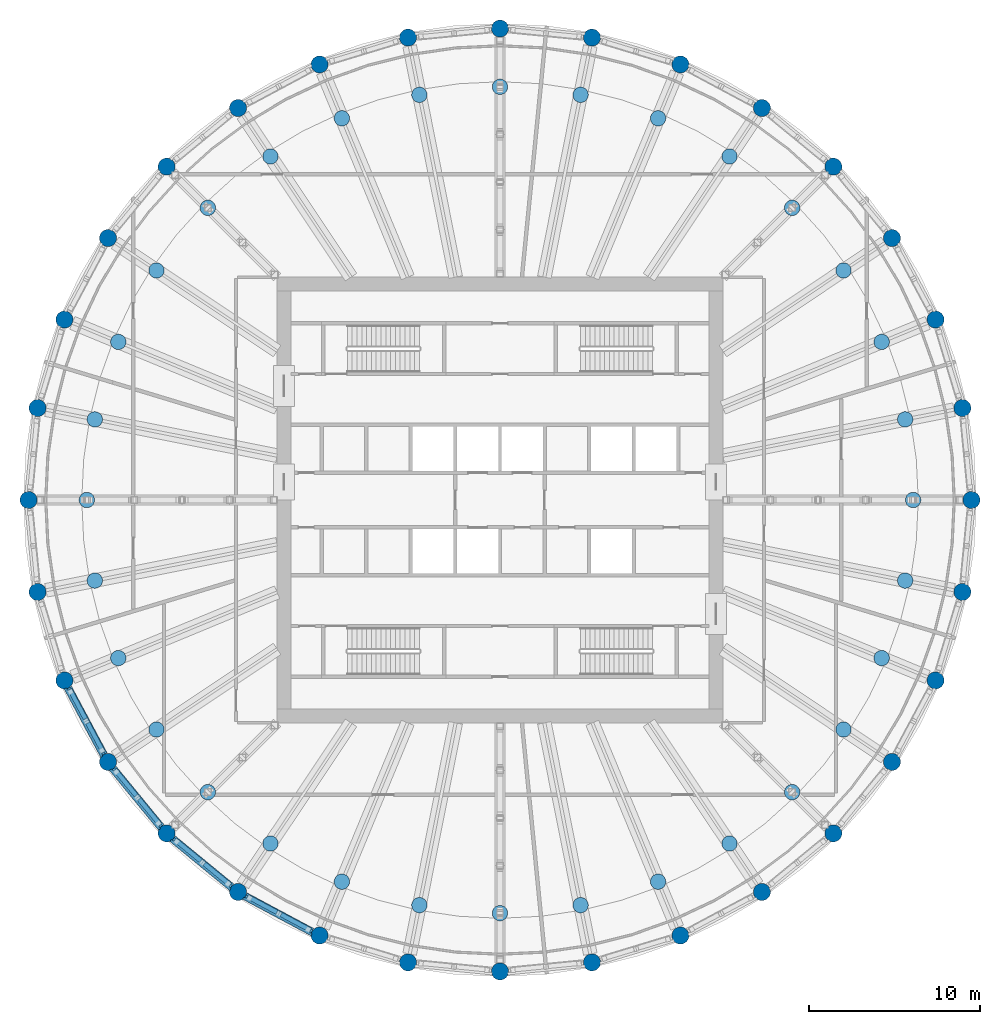
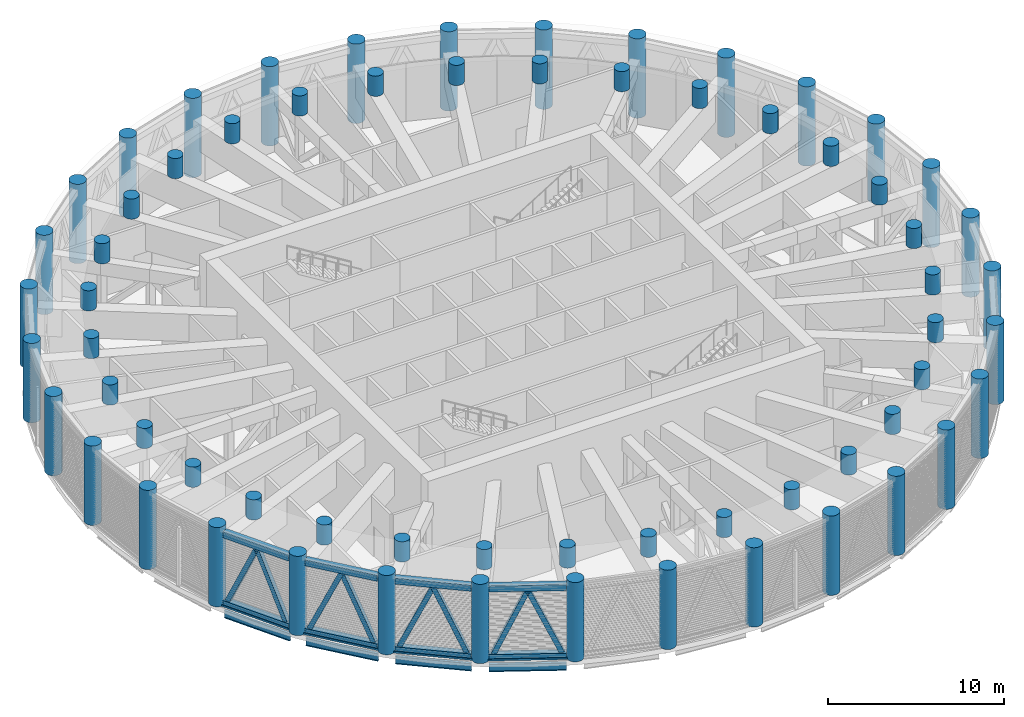
# One storey, part 1 of 24: 64 columns, 20 members, 4 beams, 4 elements without a shape of their own.
"""IFC4 building model written with IfcOpenShell, lengths in metres."""

import ifcopenshell
import ifcopenshell.guid

model = None  # the IFC model being written
_history = None  # IfcOwnerHistory: only IFC2X3 demands one
_inside = {}  # id of a spatial element -> (the spatial element, [elements in it])
_under = {}  # id of a project, library or spatial element -> (it, [spatial elements below it])
_declared = {}  # id of a project -> (the project, [libraries it declares])
_typed = {}  # id of a type object -> (the type object, [elements of that type])
_made_of = {}  # id of a material, layer set ... -> (it, [elements and type objects made of it])


def new_model(schema):
    """Start an empty IFC model of exactly this schema.

    Asked for "IFC4X3", IfcOpenShell would pick the latest addendum, in which some entities
    have other attributes; the version numbers below select the first issue.
    IFC2X3 requires an IfcOwnerHistory on every rooted entity: one is made here for all.
    """
    global model, _history
    if schema == "IFC4X3":
        model = ifcopenshell.file(schema_version=(4, 3, 0, 0))
    else:
        model = ifcopenshell.file(schema=schema)
    _inside.clear()
    _under.clear()
    _declared.clear()
    _typed.clear()
    _made_of.clear()
    _history = None
    if model.schema == "IFC2X3":
        org = make("IfcOrganization", Name="unknown")
        user = make(
            "IfcPersonAndOrganization",
            ThePerson=make("IfcPerson", FamilyName="unknown"),
            TheOrganization=org,
        )
        app = make(
            "IfcApplication",
            ApplicationDeveloper=org,
            Version="unknown",
            ApplicationFullName="unknown",
            ApplicationIdentifier="unknown",
        )
        _history = make(
            "IfcOwnerHistory",
            OwningUser=user,
            OwningApplication=app,
            ChangeAction="ADDED",
            CreationDate=0,
        )
    return model


def make(cls, **values):
    """One entity of the class cls with the attributes given. An attribute that is None is left unset."""
    return model.create_entity(
        cls, **{name: value for name, value in values.items() if value is not None}
    )


def rooted(cls, **values):
    """An entity with a GlobalId (a new one), such as an element, a storey or a relation."""
    return make(cls, GlobalId=ifcopenshell.guid.new(), OwnerHistory=_history, **values)


def si_unit(unit_type, name, prefix=None):
    """IfcSIUnit, for example si_unit("LENGTHUNIT", "METRE", prefix="MILLI")."""
    return make("IfcSIUnit", UnitType=unit_type, Prefix=prefix, Name=name)


def assignment(units):
    """IfcUnitAssignment: the units of a project."""
    return None if units is None else make("IfcUnitAssignment", Units=units)


def point(xyz):
    """IfcCartesianPoint."""
    return None if xyz is None else make("IfcCartesianPoint", Coordinates=xyz)


def direction(xyz):
    """IfcDirection."""
    return None if xyz is None else make("IfcDirection", DirectionRatios=xyz)


def frame(location, z_axis=None, x_axis=None):
    """IfcAxis2Placement3D, a coordinate frame: its origin and axes. An axis left out is left unset."""
    return make(
        "IfcAxis2Placement3D",
        Location=point(location),
        Axis=direction(z_axis),
        RefDirection=direction(x_axis),
    )


def frame_2d(location, x_axis=None):
    """IfcAxis2Placement2D, a coordinate frame in the plane: its origin and x axis."""
    return make(
        "IfcAxis2Placement2D", Location=point(location), RefDirection=direction(x_axis)
    )


def origin():
    """The frame at (0, 0, 0) with its axes left unset."""
    return frame((0.0, 0.0, 0.0))


def origin_2d():
    """The frame at (0, 0) in the plane with its x axis left unset."""
    return frame_2d((0.0, 0.0))


def place(relative_to, where):
    """IfcLocalPlacement: puts the frame where relative to a parent placement (None: the world)."""
    return make(
        "IfcLocalPlacement", PlacementRelTo=relative_to, RelativePlacement=where
    )


def context(
    kind, dimensions, precision=None, world=None, true_north=None, identifier=None
):
    """IfcGeometricRepresentationContext, for example the 3D "Model" context."""
    return make(
        "IfcGeometricRepresentationContext",
        ContextIdentifier=identifier,
        ContextType=kind,
        CoordinateSpaceDimension=dimensions,
        Precision=precision,
        WorldCoordinateSystem=world,
        TrueNorth=true_north,
    )


def subcontext(parent, identifier, kind, view, scale=None):
    """IfcGeometricRepresentationSubContext, for example "Body" below "Model"."""
    return make(
        "IfcGeometricRepresentationSubContext",
        ContextIdentifier=identifier,
        ContextType=kind,
        ParentContext=parent,
        TargetScale=scale,
        TargetView=view,
    )


def project(units=None, contexts=None):
    """IfcProject with its units and contexts."""
    return rooted(
        "IfcProject",
        Name="project",
        RepresentationContexts=contexts,
        UnitsInContext=assignment(units),
    )


def spatial(cls, under=None, at=None, **own):
    """A site, building, storey or space (cls), placed at a placement, below another one or the project."""
    s = rooted(cls, ObjectPlacement=at, **own)
    if under is not None:
        _under.setdefault(under.id(), (under, []))[1].append(s)
    return s


def profile(cls, at=None, kind="AREA", **sizes):
    """A parametric profile (cls). Its sizes go by their IFC names, for example OverallWidth=200.0."""
    return make(cls, ProfileType=kind, Position=at, **sizes)


def rectangle(**sizes):
    """IfcRectangleProfileDef."""
    return profile("IfcRectangleProfileDef", **sizes)


def hollow_rectangle(**sizes):
    """IfcRectangleHollowProfileDef."""
    return profile("IfcRectangleHollowProfileDef", **sizes)


def circle(**sizes):
    """IfcCircleProfileDef."""
    return profile("IfcCircleProfileDef", **sizes)


def i_section(**sizes):
    """IfcIShapeProfileDef."""
    return profile("IfcIShapeProfileDef", **sizes)


def extrude(swept, where, along, depth):
    """IfcExtrudedAreaSolid: the profile swept, set in the frame where, extruded along a direction by depth."""
    return make(
        "IfcExtrudedAreaSolid",
        SweptArea=swept,
        Position=where,
        ExtrudedDirection=direction(along),
        Depth=depth,
    )


def shape(context_of_items, identifier, shape_type, items):
    """IfcShapeRepresentation: the items that make up one representation, for example the "Body"."""
    return make(
        "IfcShapeRepresentation",
        ContextOfItems=context_of_items,
        RepresentationIdentifier=identifier,
        RepresentationType=shape_type,
        Items=items,
    )


def material(Name=None, Category=None):
    """IfcMaterial."""
    return make("IfcMaterial", Name=Name, Category=Category)


def material_profile(
    of_material, cross_section, Name=None, Category=None, Priority=None
):
    """IfcMaterialProfile: a cross section and its material."""
    return make(
        "IfcMaterialProfile",
        Name=Name,
        Material=of_material,
        Profile=cross_section,
        Priority=Priority,
        Category=Category,
    )


def profile_set(profiles, Name=None, composite=None):
    """IfcMaterialProfileSet."""
    return make(
        "IfcMaterialProfileSet",
        Name=Name,
        MaterialProfiles=profiles,
        CompositeProfile=composite,
    )


def made_of(thing, what):
    """Note that an element or type object is made of a material, layer set ...; save() writes the relation."""
    if what is not None:
        _made_of.setdefault(what.id(), (what, []))[1].append(thing)
    return thing


def type_object(cls, material=None, **own):
    """A type object (cls), such as IfcWallType, which elements share."""
    return made_of(rooted(cls, **own), material)


def element(
    cls,
    number,
    at=None,
    inside=None,
    cuts=None,
    type_object=None,
    material=None,
    context=None,
    identifier="Body",
    shape_type=None,
    held_by="IfcProductDefinitionShape",
    body=None,
    shapes=None,
    **own,
):
    """One element of the class cls, such as IfcWall. Its Tag is "e" and its number.

    at: its placement. inside: the storey or other place that contains it. cuts: it is an
    opening in that element (IfcRelVoidsElement). A single representation is given by context,
    identifier, shape_type and body (its items); several are given by shapes. held_by: the class
    of the entity that holds the representations. save() writes the other relations.
    """
    e = rooted(cls, Tag="e%d" % number, ObjectPlacement=at, **own)
    if body is not None:
        shapes = [shape(context, identifier, shape_type, body)]
    if shapes is not None:
        e.Representation = make(held_by, Representations=shapes)
    if inside is not None:
        _inside.setdefault(inside.id(), (inside, []))[1].append(e)
    if cuts is not None:
        rooted(
            "IfcRelVoidsElement", RelatingBuildingElement=cuts, RelatedOpeningElement=e
        )
    if type_object is not None:
        _typed.setdefault(type_object.id(), (type_object, []))[1].append(e)
    return made_of(e, material)


def aggregate(whole, parts):
    """IfcRelAggregates: a whole, such as a stair, and the parts it consists of."""
    return rooted("IfcRelAggregates", RelatingObject=whole, RelatedObjects=parts)


def save(model, path):
    """Write the relations noted so far, then the file.

    IfcRelAggregates (storeys below a building ...), IfcRelContainedInSpatialStructure (elements
    in a storey), IfcRelDefinesByType, IfcRelAssociatesMaterial and IfcRelDeclares: one each for
    every whole, place, type object, material and project.
    """
    for whole, parts in _under.values():
        aggregate(whole, parts)
    for where, things in _inside.values():
        rooted(
            "IfcRelContainedInSpatialStructure",
            RelatedElements=things,
            RelatingStructure=where,
        )
    for kind, things in _typed.values():
        rooted("IfcRelDefinesByType", RelatedObjects=things, RelatingType=kind)
    for what, things in _made_of.values():
        rooted("IfcRelAssociatesMaterial", RelatedObjects=things, RelatingMaterial=what)
    for by, libraries in _declared.values():
        rooted("IfcRelDeclares", RelatingContext=by, RelatedDefinitions=libraries)
    model.write(path)


model = new_model("IFC4")

# Units and contexts
model_context = context("Model", 3, precision=1e-05, world=origin(), true_north=direction((0.0, 1.0)))
body_context = subcontext(model_context, "Body", "Model", "MODEL_VIEW")
ifc_project = project(units=[si_unit("LENGTHUNIT", "METRE"), si_unit("AREAUNIT", "SQUARE_METRE"), si_unit("VOLUMEUNIT", "CUBIC_METRE"), si_unit("PLANEANGLEUNIT", "RADIAN"), si_unit("MASSUNIT", "GRAM", prefix="KILO")], contexts=[model_context])

# Site, building, storey
site_placement = place(None, origin())
site = spatial("IfcSite", under=ifc_project, at=site_placement, CompositionType="ELEMENT")
building_placement = place(site_placement, origin())
building = spatial("IfcBuilding", under=site, at=building_placement, Name="Corvane Civic Tower", CompositionType="ELEMENT")
storey_placement = place(building_placement, frame((0.0, 0.0, 257.5)))
storey = spatial("IfcBuildingStorey", under=building, at=storey_placement, Name="L61", CompositionType="ELEMENT", Elevation=257.5)

# Columns
ifc_material_1 = material(Name="Concrete C60/75", Category="concrete")
ifc_material_profile_1 = material_profile(ifc_material_1, circle(Radius=0.5, at=origin_2d()), Name="COLUMN 1000")
ifc_profile_set_1 = profile_set([ifc_material_profile_1], Name="Concrete C60/75")
column_type_1 = type_object("IfcColumnType", Name="RC COLUMN COLUMN 1000", PredefinedType="COLUMN", material=ifc_profile_set_1)
for number, where, z_axis, x_axis, name in (
    (1, (0.0, 27.5, 0.0), (0.0, 0.0, 1.0), (1.0, 0.0, 0.0), "COL-L61-D01"),
    (2, (5.364990234375, 26.9716796875, 0.0), (0.0, 0.0, 1.0), (1.0, 0.0, 0.0), "COL-L61-D02"),
    (3, (10.523681640625, 25.40673828125, 0.0), (0.0, 0.0, 1.0), (1.0, 0.0, 0.0), "COL-L61-D03"),
    (4, (15.278076171875, 22.865478515625, 0.0), (0.0, 0.0, 1.0), (1.0, 0.0, 0.0), "COL-L61-D04"),
    (5, (19.445556640625, 19.445556640625, 0.0), (0.0, 0.0, 1.0), (1.0, 0.0, 0.0), "COL-L61-D05"),
    (6, (22.865478515625, 15.278076171875, 0.0), (0.0, 0.0, 1.0), (1.0, 0.0, 0.0), "COL-L61-D06"),
    (7, (25.40673828125, 10.523681640625, 0.0), (0.0, 0.0, 1.0), (1.0, 0.0, 0.0), "COL-L61-D07"),
    (8, (26.9716796875, 5.364990234375, 0.0), (0.0, 0.0, 1.0), (1.0, 0.0, 0.0), "COL-L61-D08"),
    (9, (27.5, 0.0, 0.0), (0.0, 0.0, 1.0), (1.0, 0.0, 0.0), "COL-L61-D09"),
    (10, (26.9716796875, -5.364990234375, 0.0), (0.0, 0.0, 1.0), (1.0, 0.0, 0.0), "COL-L61-D10"),
    (11, (25.40673828125, -10.523681640625, 0.0), (0.0, 0.0, 1.0), (1.0, 0.0, 0.0), "COL-L61-D11"),
    (12, (22.865478515625, -15.278076171875, 0.0), (0.0, 0.0, 1.0), (1.0, 0.0, 0.0), "COL-L61-D12"),
    (13, (19.445556640625, -19.445556640625, 0.0), (0.0, 0.0, 1.0), (1.0, 0.0, 0.0), "COL-L61-D13"),
    (14, (15.278076171875, -22.865478515625, 0.0), (0.0, 0.0, 1.0), (1.0, 0.0, 0.0), "COL-L61-D14"),
    (15, (10.523681640625, -25.40673828125, 0.0), (0.0, 0.0, 1.0), (1.0, 0.0, 0.0), "COL-L61-D15"),
    (16, (5.364990234375, -26.9716796875, 0.0), (0.0, 0.0, 1.0), (1.0, 0.0, 0.0), "COL-L61-D16"),
    (17, (0.0, -27.5, 0.0), (0.0, 0.0, 1.0), (1.0, 0.0, 0.0), "COL-L61-D17"),
    (18, (-5.364990234375, -26.9716796875, 0.0), (0.0, 0.0, 1.0), (1.0, 0.0, 0.0), "COL-L61-D18"),
    (19, (-10.523681640625, -25.40673828125, 0.0), (0.0, 0.0, 1.0), (1.0, 0.0, 0.0), "COL-L61-D19"),
    (20, (-15.278076171875, -22.865478515625, 0.0), (0.0, 0.0, 1.0), (1.0, 0.0, 0.0), "COL-L61-D20"),
    (21, (-19.445556640625, -19.445556640625, 0.0), (0.0, 0.0, 1.0), (1.0, 0.0, 0.0), "COL-L61-D21"),
    (22, (-22.865478515625, -15.278076171875, 0.0), (0.0, 0.0, 1.0), (1.0, 0.0, 0.0), "COL-L61-D22"),
    (23, (-25.40673828125, -10.523681640625, 0.0), (0.0, 0.0, 1.0), (1.0, 0.0, 0.0), "COL-L61-D23"),
    (24, (-26.9716796875, -5.364990234375, 0.0), (0.0, 0.0, 1.0), (1.0, 0.0, 0.0), "COL-L61-D24"),
    (25, (-27.5, 0.0, 0.0), (0.0, 0.0, 1.0), (1.0, 0.0, 0.0), "COL-L61-D25"),
    (26, (-26.9716796875, 5.364990234375, 0.0), (0.0, 0.0, 1.0), (1.0, 0.0, 0.0), "COL-L61-D26"),
    (27, (-25.40673828125, 10.523681640625, 0.0), (0.0, 0.0, 1.0), (1.0, 0.0, 0.0), "COL-L61-D27"),
    (28, (-22.865478515625, 15.278076171875, 0.0), (0.0, 0.0, 1.0), (1.0, 0.0, 0.0), "COL-L61-D28"),
    (29, (-19.445556640625, 19.445556640625, 0.0), (0.0, 0.0, 1.0), (1.0, 0.0, 0.0), "COL-L61-D29"),
    (30, (-15.278076171875, 22.865478515625, 0.0), (0.0, 0.0, 1.0), (1.0, 0.0, 0.0), "COL-L61-D30"),
    (31, (-10.523681640625, 25.40673828125, 0.0), (0.0, 0.0, 1.0), (1.0, 0.0, 0.0), "COL-L61-D31"),
    (32, (-5.364990234375, 26.9716796875, 0.0), (0.0, 0.0, 1.0), (1.0, 0.0, 0.0), "COL-L61-D32"),
):
    element("IfcColumn", number, at=place(storey_placement, frame(where, z_axis=z_axis, x_axis=x_axis)), inside=storey, type_object=column_type_1, Name=name, PredefinedType="COLUMN", context=body_context, shape_type="SweptSolid", body=[
        extrude(circle(Radius=0.5, at=origin_2d()), origin(), (0.0, 0.0, 1.0), 5.5),
    ])
ifc_material_2 = material(Name="Concrete C60/75", Category="concrete")
ifc_material_profile_2 = material_profile(ifc_material_2, circle(Radius=0.449951171875, at=origin_2d()), Name="COLUMN 900")
ifc_profile_set_2 = profile_set([ifc_material_profile_2], Name="Concrete C60/75")
column_type_2 = type_object("IfcColumnType", Name="RC COLUMN COLUMN 900", PredefinedType="COLUMN", material=ifc_profile_set_2)
for number, where, z_axis, x_axis, name in (
    (33, (0.0, 24.10009765625, 4.10009765625), (0.0, 0.0, 1.0), (1.0, 0.0, 0.0), "COL-L61-E01"),
    (34, (4.70166015625, 23.636962890625, 4.10009765625), (0.0, 0.0, 1.0), (1.0, 0.0, 0.0), "COL-L61-E02"),
    (35, (9.22265625, 22.265380859375, 4.10009765625), (0.0, 0.0, 1.0), (1.0, 0.0, 0.0), "COL-L61-E03"),
    (36, (13.38916015625, 20.038330078125, 4.10009765625), (0.0, 0.0, 1.0), (1.0, 0.0, 0.0), "COL-L61-E04"),
    (37, (17.041259765625, 17.041259765625, 4.10009765625), (0.0, 0.0, 1.0), (1.0, 0.0, 0.0), "COL-L61-E05"),
    (38, (20.038330078125, 13.38916015625, 4.10009765625), (0.0, 0.0, 1.0), (1.0, 0.0, 0.0), "COL-L61-E06"),
    (39, (22.265380859375, 9.22265625, 4.10009765625), (0.0, 0.0, 1.0), (1.0, 0.0, 0.0), "COL-L61-E07"),
    (40, (23.636962890625, 4.70166015625, 4.10009765625), (0.0, 0.0, 1.0), (1.0, 0.0, 0.0), "COL-L61-E08"),
    (41, (24.10009765625, 0.0, 4.10009765625), (0.0, 0.0, 1.0), (1.0, 0.0, 0.0), "COL-L61-E09"),
    (42, (23.636962890625, -4.70166015625, 4.10009765625), (0.0, 0.0, 1.0), (1.0, 0.0, 0.0), "COL-L61-E10"),
    (43, (22.265380859375, -9.22265625, 4.10009765625), (0.0, 0.0, 1.0), (1.0, 0.0, 0.0), "COL-L61-E11"),
    (44, (20.038330078125, -13.38916015625, 4.10009765625), (0.0, 0.0, 1.0), (1.0, 0.0, 0.0), "COL-L61-E12"),
    (45, (17.041259765625, -17.041259765625, 4.10009765625), (0.0, 0.0, 1.0), (1.0, 0.0, 0.0), "COL-L61-E13"),
    (46, (13.38916015625, -20.038330078125, 4.10009765625), (0.0, 0.0, 1.0), (1.0, 0.0, 0.0), "COL-L61-E14"),
    (47, (9.22265625, -22.265380859375, 4.10009765625), (0.0, 0.0, 1.0), (1.0, 0.0, 0.0), "COL-L61-E15"),
    (48, (4.70166015625, -23.636962890625, 4.10009765625), (0.0, 0.0, 1.0), (1.0, 0.0, 0.0), "COL-L61-E16"),
    (49, (0.0, -24.10009765625, 4.10009765625), (0.0, 0.0, 1.0), (1.0, 0.0, 0.0), "COL-L61-E17"),
    (50, (-4.70166015625, -23.636962890625, 4.10009765625), (0.0, 0.0, 1.0), (1.0, 0.0, 0.0), "COL-L61-E18"),
    (51, (-9.22265625, -22.265380859375, 4.10009765625), (0.0, 0.0, 1.0), (1.0, 0.0, 0.0), "COL-L61-E19"),
    (52, (-13.38916015625, -20.038330078125, 4.10009765625), (0.0, 0.0, 1.0), (1.0, 0.0, 0.0), "COL-L61-E20"),
    (53, (-17.041259765625, -17.041259765625, 4.10009765625), (0.0, 0.0, 1.0), (1.0, 0.0, 0.0), "COL-L61-E21"),
    (54, (-20.038330078125, -13.38916015625, 4.10009765625), (0.0, 0.0, 1.0), (1.0, 0.0, 0.0), "COL-L61-E22"),
    (55, (-22.265380859375, -9.22265625, 4.10009765625), (0.0, 0.0, 1.0), (1.0, 0.0, 0.0), "COL-L61-E23"),
    (56, (-23.636962890625, -4.70166015625, 4.10009765625), (0.0, 0.0, 1.0), (1.0, 0.0, 0.0), "COL-L61-E24"),
    (57, (-24.10009765625, 0.0, 4.10009765625), (0.0, 0.0, 1.0), (1.0, 0.0, 0.0), "COL-L61-E25"),
    (58, (-23.636962890625, 4.70166015625, 4.10009765625), (0.0, 0.0, 1.0), (1.0, 0.0, 0.0), "COL-L61-E26"),
    (59, (-22.265380859375, 9.22265625, 4.10009765625), (0.0, 0.0, 1.0), (1.0, 0.0, 0.0), "COL-L61-E27"),
    (60, (-20.038330078125, 13.38916015625, 4.10009765625), (0.0, 0.0, 1.0), (1.0, 0.0, 0.0), "COL-L61-E28"),
    (61, (-17.041259765625, 17.041259765625, 4.10009765625), (0.0, 0.0, 1.0), (1.0, 0.0, 0.0), "COL-L61-E29"),
    (62, (-13.38916015625, 20.038330078125, 4.10009765625), (0.0, 0.0, 1.0), (1.0, 0.0, 0.0), "COL-L61-E30"),
    (63, (-9.22265625, 22.265380859375, 4.10009765625), (0.0, 0.0, 1.0), (1.0, 0.0, 0.0), "COL-L61-E31"),
    (64, (-4.70166015625, 23.636962890625, 4.10009765625), (0.0, 0.0, 1.0), (1.0, 0.0, 0.0), "COL-L61-E32"),
):
    element("IfcColumn", number, at=place(storey_placement, frame(where, z_axis=z_axis, x_axis=x_axis)), inside=storey, type_object=column_type_2, Name=name, PredefinedType="COLUMN", context=body_context, shape_type="SweptSolid", body=[
        extrude(circle(Radius=0.449951171875, at=origin_2d()), origin(), (0.0, 0.0, 1.0), 1.39990234375),
    ])

# Members
ifc_material_3 = material(Name="Steel ASTM A500 Gr C", Category="steel")
ifc_material_profile_3 = material_profile(ifc_material_3, hollow_rectangle(XDim=0.406494140625, YDim=0.406494140625, WallThickness=0.0146484375, at=origin_2d()), Name="HSS16X16X5/8")
ifc_profile_set_3 = profile_set([ifc_material_profile_3], Name="Steel ASTM A500 Gr C")
member_type_1 = type_object("IfcMemberType", Name="BELT CHORD HSS16X16X5/8", PredefinedType="CHORD", material=ifc_profile_set_3)
for number, where, z_axis, x_axis, name in (
    (65, (-10.964599609375, -25.171142578125, 4.94677734375), (-0.881907756852, 0.471422006704, 0.0), (-0.471422006704, -0.881907756852, 0.0), "Belt truss BT-L61"),
    (66, (-10.964599609375, -25.171142578125, 0.203125), (-0.881907756852, 0.471422006704, 0.0), (-0.471422006704, -0.881907756852, 0.0), "Belt truss BT-L61"),
    (67, (-15.66455078125, -22.54833984375, 4.94677734375), (-0.773030026524, 0.634369433447, 0.0), (-0.634369433447, -0.773030026524, 0.0), "Belt truss BT-L61"),
    (68, (-15.66455078125, -22.54833984375, 0.203125), (-0.773030026524, 0.634369433447, 0.0), (-0.634369433447, -0.773030026524, 0.0), "Belt truss BT-L61"),
    (69, (-19.7626953125, -19.05908203125, 4.94677734375), (-0.634369433447, 0.773030026524, 0.0), (-0.773030026524, -0.634369433447, 0.0), "Belt truss BT-L61"),
    (70, (-19.7626953125, -19.05908203125, 0.203125), (-0.634369433447, 0.773030026524, 0.0), (-0.773030026524, -0.634369433447, 0.0), "Belt truss BT-L61"),
    (71, (-23.10107421875, -14.837158203125, 4.94677734375), (-0.471422006704, 0.881907756852, 0.0), (-0.881907756852, -0.471422006704, 0.0), "Belt truss BT-L61"),
    (72, (-23.10107421875, -14.837158203125, 0.203125), (-0.471422006704, 0.881907756852, 0.0), (-0.881907756852, -0.471422006704, 0.0), "Belt truss BT-L61"),
):
    element("IfcMember", number, at=place(storey_placement, frame(where, z_axis=z_axis, x_axis=x_axis)), inside=storey, type_object=member_type_1, Name=name, PredefinedType="CHORD", context=body_context, shape_type="SweptSolid", body=[
        extrude(hollow_rectangle(XDim=0.406494140625, YDim=0.406494140625, WallThickness=0.0146484375, at=origin_2d()), origin(), (0.0, 0.0, 1.0), 4.39111328125),
    ])
ifc_material_4 = material(Name="Steel ASTM A500 Gr C", Category="steel")
ifc_material_profile_4 = material_profile(ifc_material_4, hollow_rectangle(XDim=0.3046875, YDim=0.3046875, WallThickness=0.01171875, at=origin_2d()), Name="HSS12X12X1/2")
ifc_profile_set_4 = profile_set([ifc_material_profile_4], Name="Steel ASTM A500 Gr C")
member_type_2 = type_object("IfcMemberType", Name="BELT DIAGONAL HSS12X12X1/2", PredefinedType="BRACE", material=ifc_profile_set_4)
member_1_placement = place(storey_placement, frame((-11.18505859375, -25.05322265625, 0.406494140625), z_axis=(-0.36095861571, 0.192908446301, 0.912411754139), x_axis=(-0.471343613184, -0.88194965747, 0.0)))
element("IfcMember", 73, at=member_1_placement, inside=storey, type_object=member_type_2, Name="Belt truss BT-L61", PredefinedType="BRACE", context=body_context, shape_type="SweptSolid", body=[
    extrude(hollow_rectangle(XDim=0.3046875, YDim=0.3046875, WallThickness=0.01171875, at=origin_2d()), origin(), (0.0, 0.0, 1.0), 4.75341796875),
])
member_2_placement = place(storey_placement, frame((-14.61669921875, -23.218994140625, 0.406494140625), z_axis=(0.360955038984, -0.192957894346, 0.912402713083), x_axis=(0.47144121572, 0.881897488442, 0.0)))
element("IfcMember", 74, at=member_2_placement, inside=storey, type_object=member_type_2, Name="Belt truss BT-L61", PredefinedType="BRACE", context=body_context, shape_type="SweptSolid", body=[
    extrude(hollow_rectangle(XDim=0.3046875, YDim=0.3046875, WallThickness=0.01171875, at=origin_2d()), origin(), (0.0, 0.0, 1.0), 4.753662109375),
])
for number, where, z_axis, x_axis, name in (
    (75, (-15.85791015625, -22.3896484375, 0.406494140625), (-0.316378776839, 0.259625765734, 0.912413793919), (-0.634364687153, -0.773033921437, 0.0), "Belt truss BT-L61"),
    (76, (-18.86572265625, -19.92138671875, 0.406494140625), (0.316378776839, -0.259625765734, 0.912413793919), (0.634364687153, 0.773033921437, 0.0), "Belt truss BT-L61"),
    (77, (-19.92138671875, -18.86572265625, 0.406494140625), (-0.259625765734, 0.316378776839, 0.912413793919), (-0.773033921437, -0.634364687153, 0.0), "Belt truss BT-L61"),
    (78, (-22.3896484375, -15.85791015625, 0.406494140625), (0.259625765734, -0.316378776839, 0.912413793919), (0.773033921437, 0.634364687153, 0.0), "Belt truss BT-L61"),
):
    element("IfcMember", number, at=place(storey_placement, frame(where, z_axis=z_axis, x_axis=x_axis)), inside=storey, type_object=member_type_2, Name=name, PredefinedType="BRACE", context=body_context, shape_type="SweptSolid", body=[
        extrude(hollow_rectangle(XDim=0.3046875, YDim=0.3046875, WallThickness=0.01171875, at=origin_2d()), origin(), (0.0, 0.0, 1.0), 4.75341796875),
    ])
member_3_placement = place(storey_placement, frame((-23.218994140625, -14.61669921875, 0.406494140625), z_axis=(-0.192957894346, 0.360955038984, 0.912402713083), x_axis=(-0.881897488442, -0.47144121572, 0.0)))
element("IfcMember", 79, at=member_3_placement, inside=storey, type_object=member_type_2, Name="Belt truss BT-L61", PredefinedType="BRACE", context=body_context, shape_type="SweptSolid", body=[
    extrude(hollow_rectangle(XDim=0.3046875, YDim=0.3046875, WallThickness=0.01171875, at=origin_2d()), origin(), (0.0, 0.0, 1.0), 4.753662109375),
])
member_4_placement = place(storey_placement, frame((-25.05322265625, -11.18505859375, 0.406494140625), z_axis=(0.192908446301, -0.36095861571, 0.912411754139), x_axis=(0.88194965747, 0.471343613184, 0.0)))
element("IfcMember", 80, at=member_4_placement, inside=storey, type_object=member_type_2, Name="Belt truss BT-L61", PredefinedType="BRACE", context=body_context, shape_type="SweptSolid", body=[
    extrude(hollow_rectangle(XDim=0.3046875, YDim=0.3046875, WallThickness=0.01171875, at=origin_2d()), origin(), (0.0, 0.0, 1.0), 4.75341796875),
])

# Beams
ifc_material_5 = material(Name="Steel ASTM A992 Gr 50", Category="steel")
ifc_material_profile_5 = material_profile(ifc_material_5, i_section(OverallWidth=0.165771484375, OverallDepth=0.5283203125, WebThickness=0.009765625, FlangeThickness=0.013671875, at=origin_2d()), Name="W21X50")
ifc_profile_set_5 = profile_set([ifc_material_profile_5], Name="Steel ASTM A992 Gr 50")
beam_type = type_object("IfcBeamType", Name="EDGE BEAM W21X50", PredefinedType="BEAM", material=ifc_profile_set_5)
for number, where, z_axis, x_axis, name in (
    (81, (-10.964599609375, -25.171142578125, -0.6142578125), (-0.881907756852, 0.471422006704, 0.0), (-0.471422006704, -0.881907756852, 0.0), "BM-L61-E19"),
    (82, (-15.66455078125, -22.54833984375, -0.6142578125), (-0.773030026524, 0.634369433447, 0.0), (-0.634369433447, -0.773030026524, 0.0), "BM-L61-E20"),
    (83, (-19.7626953125, -19.05908203125, -0.6142578125), (-0.634369433447, 0.773030026524, 0.0), (-0.773030026524, -0.634369433447, 0.0), "BM-L61-E21"),
    (84, (-23.10107421875, -14.837158203125, -0.6142578125), (-0.471422006704, 0.881907756852, 0.0), (-0.881907756852, -0.471422006704, 0.0), "BM-L61-E22"),
):
    element("IfcBeam", number, at=place(storey_placement, frame(where, z_axis=z_axis, x_axis=x_axis)), inside=storey, type_object=beam_type, Name=name, PredefinedType="BEAM", context=body_context, shape_type="SweptSolid", body=[
        extrude(i_section(OverallWidth=0.165771484375, OverallDepth=0.5283203125, WebThickness=0.009765625, FlangeThickness=0.013671875, at=origin_2d()), origin(), (0.0, 0.0, 1.0), 4.39111328125),
    ])

# Curtain wall, member
ifc_material_6 = material(Name="Anodised aluminium bronze", Category="aluminium")
curtain_wall_type = type_object("IfcCurtainWallType", Name="TOWER CW-LV LOUVRE SCREEN WALL", PredefinedType="NOTDEFINED", material=ifc_material_6)
curtain_wall_1_placement = place(storey_placement, origin())
curtain_wall_1 = element("IfcCurtainWall", 85, at=curtain_wall_1_placement, inside=storey, type_object=curtain_wall_type, Name="Louvre screen wall CW-LV L61 bay 19", PredefinedType="NOTDEFINED")
ifc_material_7 = material(Name="Anodised aluminium bronze", Category="aluminium")
ifc_material_profile_6 = material_profile(ifc_material_7, rectangle(XDim=0.139892578125, YDim=0.1201171875, at=origin_2d()), Name="TOWER CW-LV TRANSOM 140x120")
ifc_profile_set_6 = profile_set([ifc_material_profile_6], Name="Anodised aluminium bronze")
member_type_3 = type_object("IfcMemberType", Name="TOWER CW-LV TRANSOM 140x120", PredefinedType="USERDEFINED", material=ifc_profile_set_6)
member_5_placement = place(storey_placement, frame((-10.993408203125, -25.35888671875, 0.06005859375), z_axis=(-0.881924695689, 0.471390317183, 0.0), x_axis=(-0.471390317183, -0.881924695689, 0.0)))
member_5 = element("IfcMember", 86, at=member_5_placement, type_object=member_type_3, Name="Transom CW-LV L61 19.1", ObjectType="TRANSOM", PredefinedType="USERDEFINED", context=body_context, shape_type="SweptSolid", body=[
    extrude(rectangle(XDim=0.139892578125, YDim=0.1201171875, at=origin_2d()), origin(), (0.0, 0.0, 1.0), 4.517333984375),
])
aggregate(curtain_wall_1, [member_5])

curtain_wall_2_placement = place(storey_placement, origin())
curtain_wall_2 = element("IfcCurtainWall", 87, at=curtain_wall_2_placement, inside=storey, type_object=curtain_wall_type, Name="Louvre screen wall CW-LV L61 bay 20", PredefinedType="NOTDEFINED")
member_6_placement = place(storey_placement, frame((-15.7294921875, -22.726806640625, 0.06005859375), z_axis=(-0.773014925698, 0.634387834569, 0.0), x_axis=(-0.634387834569, -0.773014925698, 0.0)))
member_6 = element("IfcMember", 88, at=member_6_placement, type_object=member_type_3, Name="Transom CW-LV L61 20.1", ObjectType="TRANSOM", PredefinedType="USERDEFINED", context=body_context, shape_type="SweptSolid", body=[
    extrude(rectangle(XDim=0.139892578125, YDim=0.1201171875, at=origin_2d()), origin(), (0.0, 0.0, 1.0), 4.517333984375),
])
aggregate(curtain_wall_2, [member_6])

curtain_wall_3_placement = place(storey_placement, origin())
curtain_wall_3 = element("IfcCurtainWall", 89, at=curtain_wall_3_placement, inside=storey, type_object=curtain_wall_type, Name="Louvre screen wall CW-LV L61 bay 21", PredefinedType="NOTDEFINED")
member_7_placement = place(storey_placement, frame((-19.861083984375, -19.221435546875, 0.06005859375), z_axis=(-0.634387834569, 0.773014925698, 0.0), x_axis=(-0.773014925698, -0.634387834569, 0.0)))
member_7 = element("IfcMember", 90, at=member_7_placement, type_object=member_type_3, Name="Transom CW-LV L61 21.1", ObjectType="TRANSOM", PredefinedType="USERDEFINED", context=body_context, shape_type="SweptSolid", body=[
    extrude(rectangle(XDim=0.139892578125, YDim=0.1201171875, at=origin_2d()), origin(), (0.0, 0.0, 1.0), 4.517333984375),
])
aggregate(curtain_wall_3, [member_7])

curtain_wall_4_placement = place(storey_placement, origin())
curtain_wall_4 = element("IfcCurtainWall", 91, at=curtain_wall_4_placement, inside=storey, type_object=curtain_wall_type, Name="Louvre screen wall CW-LV L61 bay 22", PredefinedType="NOTDEFINED")
member_8_placement = place(storey_placement, frame((-23.2294921875, -14.977294921875, 0.06005859375), z_axis=(-0.471390317183, 0.881924695689, 0.0), x_axis=(-0.881924695689, -0.471390317183, 0.0)))
member_8 = element("IfcMember", 92, at=member_8_placement, type_object=member_type_3, Name="Transom CW-LV L61 22.1", ObjectType="TRANSOM", PredefinedType="USERDEFINED", context=body_context, shape_type="SweptSolid", body=[
    extrude(rectangle(XDim=0.139892578125, YDim=0.1201171875, at=origin_2d()), origin(), (0.0, 0.0, 1.0), 4.517333984375),
])
aggregate(curtain_wall_4, [member_8])

save(model, "model.ifc")
